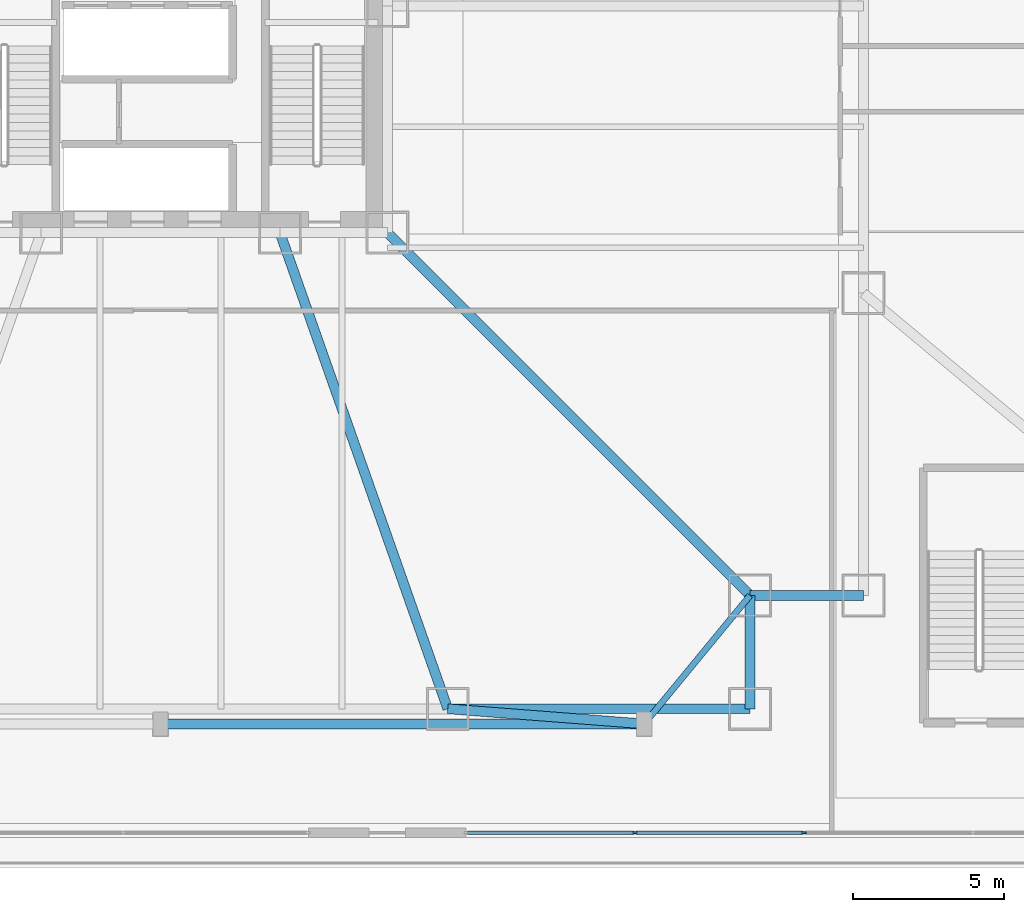
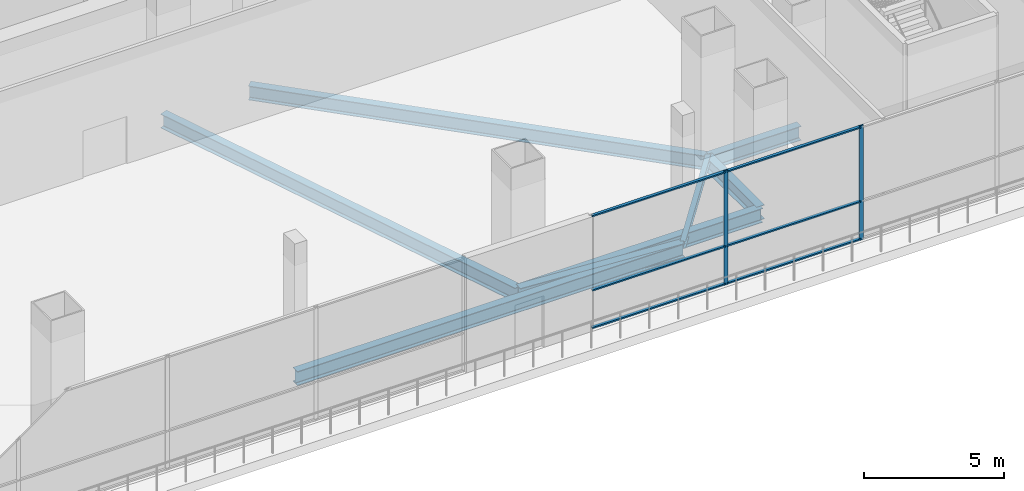
# One storey, part 9 of 36: 8 beams, 8 members, 1 element without a shape of its own.
"""IFC4 building model written with IfcOpenShell, lengths in metres."""

import ifcopenshell
import ifcopenshell.guid

model = None  # the IFC model being written
_history = None  # IfcOwnerHistory: only IFC2X3 demands one
_inside = {}  # id of a spatial element -> (the spatial element, [elements in it])
_under = {}  # id of a project, library or spatial element -> (it, [spatial elements below it])
_declared = {}  # id of a project -> (the project, [libraries it declares])
_typed = {}  # id of a type object -> (the type object, [elements of that type])
_made_of = {}  # id of a material, layer set ... -> (it, [elements and type objects made of it])


def new_model(schema):
    """Start an empty IFC model of exactly this schema.

    Asked for "IFC4X3", IfcOpenShell would pick the latest addendum, in which some entities
    have other attributes; the version numbers below select the first issue.
    IFC2X3 requires an IfcOwnerHistory on every rooted entity: one is made here for all.
    """
    global model, _history
    if schema == "IFC4X3":
        model = ifcopenshell.file(schema_version=(4, 3, 0, 0))
    else:
        model = ifcopenshell.file(schema=schema)
    _inside.clear()
    _under.clear()
    _declared.clear()
    _typed.clear()
    _made_of.clear()
    _history = None
    if model.schema == "IFC2X3":
        org = make("IfcOrganization", Name="unknown")
        user = make(
            "IfcPersonAndOrganization",
            ThePerson=make("IfcPerson", FamilyName="unknown"),
            TheOrganization=org,
        )
        app = make(
            "IfcApplication",
            ApplicationDeveloper=org,
            Version="unknown",
            ApplicationFullName="unknown",
            ApplicationIdentifier="unknown",
        )
        _history = make(
            "IfcOwnerHistory",
            OwningUser=user,
            OwningApplication=app,
            ChangeAction="ADDED",
            CreationDate=0,
        )
    return model


def make(cls, **values):
    """One entity of the class cls with the attributes given. An attribute that is None is left unset."""
    return model.create_entity(
        cls, **{name: value for name, value in values.items() if value is not None}
    )


def rooted(cls, **values):
    """An entity with a GlobalId (a new one), such as an element, a storey or a relation."""
    return make(cls, GlobalId=ifcopenshell.guid.new(), OwnerHistory=_history, **values)


def si_unit(unit_type, name, prefix=None):
    """IfcSIUnit, for example si_unit("LENGTHUNIT", "METRE", prefix="MILLI")."""
    return make("IfcSIUnit", UnitType=unit_type, Prefix=prefix, Name=name)


def assignment(units):
    """IfcUnitAssignment: the units of a project."""
    return None if units is None else make("IfcUnitAssignment", Units=units)


def point(xyz):
    """IfcCartesianPoint."""
    return None if xyz is None else make("IfcCartesianPoint", Coordinates=xyz)


def direction(xyz):
    """IfcDirection."""
    return None if xyz is None else make("IfcDirection", DirectionRatios=xyz)


def frame(location, z_axis=None, x_axis=None):
    """IfcAxis2Placement3D, a coordinate frame: its origin and axes. An axis left out is left unset."""
    return make(
        "IfcAxis2Placement3D",
        Location=point(location),
        Axis=direction(z_axis),
        RefDirection=direction(x_axis),
    )


def frame_2d(location, x_axis=None):
    """IfcAxis2Placement2D, a coordinate frame in the plane: its origin and x axis."""
    return make(
        "IfcAxis2Placement2D", Location=point(location), RefDirection=direction(x_axis)
    )


def origin():
    """The frame at (0, 0, 0) with its axes left unset."""
    return frame((0.0, 0.0, 0.0))


def origin_2d():
    """The frame at (0, 0) in the plane with its x axis left unset."""
    return frame_2d((0.0, 0.0))


def place(relative_to, where):
    """IfcLocalPlacement: puts the frame where relative to a parent placement (None: the world)."""
    return make(
        "IfcLocalPlacement", PlacementRelTo=relative_to, RelativePlacement=where
    )


def context(
    kind, dimensions, precision=None, world=None, true_north=None, identifier=None
):
    """IfcGeometricRepresentationContext, for example the 3D "Model" context."""
    return make(
        "IfcGeometricRepresentationContext",
        ContextIdentifier=identifier,
        ContextType=kind,
        CoordinateSpaceDimension=dimensions,
        Precision=precision,
        WorldCoordinateSystem=world,
        TrueNorth=true_north,
    )


def subcontext(parent, identifier, kind, view, scale=None):
    """IfcGeometricRepresentationSubContext, for example "Body" below "Model"."""
    return make(
        "IfcGeometricRepresentationSubContext",
        ContextIdentifier=identifier,
        ContextType=kind,
        ParentContext=parent,
        TargetScale=scale,
        TargetView=view,
    )


def project(units=None, contexts=None):
    """IfcProject with its units and contexts."""
    return rooted(
        "IfcProject",
        Name="project",
        RepresentationContexts=contexts,
        UnitsInContext=assignment(units),
    )


def spatial(cls, under=None, at=None, **own):
    """A site, building, storey or space (cls), placed at a placement, below another one or the project."""
    s = rooted(cls, ObjectPlacement=at, **own)
    if under is not None:
        _under.setdefault(under.id(), (under, []))[1].append(s)
    return s


def profile(cls, at=None, kind="AREA", **sizes):
    """A parametric profile (cls). Its sizes go by their IFC names, for example OverallWidth=200.0."""
    return make(cls, ProfileType=kind, Position=at, **sizes)


def rectangle(**sizes):
    """IfcRectangleProfileDef."""
    return profile("IfcRectangleProfileDef", **sizes)


def i_section(**sizes):
    """IfcIShapeProfileDef."""
    return profile("IfcIShapeProfileDef", **sizes)


def extrude(swept, where, along, depth):
    """IfcExtrudedAreaSolid: the profile swept, set in the frame where, extruded along a direction by depth."""
    return make(
        "IfcExtrudedAreaSolid",
        SweptArea=swept,
        Position=where,
        ExtrudedDirection=direction(along),
        Depth=depth,
    )


def shape(context_of_items, identifier, shape_type, items):
    """IfcShapeRepresentation: the items that make up one representation, for example the "Body"."""
    return make(
        "IfcShapeRepresentation",
        ContextOfItems=context_of_items,
        RepresentationIdentifier=identifier,
        RepresentationType=shape_type,
        Items=items,
    )


def material(Name=None, Category=None):
    """IfcMaterial."""
    return make("IfcMaterial", Name=Name, Category=Category)


def layer(
    of_material, thickness, ventilated=None, Name=None, Category=None, Priority=None
):
    """IfcMaterialLayer: one layer of a wall or slab, of a material (None: an air gap)."""
    return make(
        "IfcMaterialLayer",
        Material=of_material,
        LayerThickness=thickness,
        IsVentilated=ventilated,
        Name=Name,
        Category=Category,
        Priority=Priority,
    )


def layer_set(layers, Name=None):
    """IfcMaterialLayerSet."""
    return make("IfcMaterialLayerSet", MaterialLayers=layers, LayerSetName=Name)


def material_profile(
    of_material, cross_section, Name=None, Category=None, Priority=None
):
    """IfcMaterialProfile: a cross section and its material."""
    return make(
        "IfcMaterialProfile",
        Name=Name,
        Material=of_material,
        Profile=cross_section,
        Priority=Priority,
        Category=Category,
    )


def profile_set(profiles, Name=None, composite=None):
    """IfcMaterialProfileSet."""
    return make(
        "IfcMaterialProfileSet",
        Name=Name,
        MaterialProfiles=profiles,
        CompositeProfile=composite,
    )


def made_of(thing, what):
    """Note that an element or type object is made of a material, layer set ...; save() writes the relation."""
    if what is not None:
        _made_of.setdefault(what.id(), (what, []))[1].append(thing)
    return thing


def type_object(cls, material=None, **own):
    """A type object (cls), such as IfcWallType, which elements share."""
    return made_of(rooted(cls, **own), material)


def element(
    cls,
    number,
    at=None,
    inside=None,
    cuts=None,
    type_object=None,
    material=None,
    context=None,
    identifier="Body",
    shape_type=None,
    held_by="IfcProductDefinitionShape",
    body=None,
    shapes=None,
    **own,
):
    """One element of the class cls, such as IfcWall. Its Tag is "e" and its number.

    at: its placement. inside: the storey or other place that contains it. cuts: it is an
    opening in that element (IfcRelVoidsElement). A single representation is given by context,
    identifier, shape_type and body (its items); several are given by shapes. held_by: the class
    of the entity that holds the representations. save() writes the other relations.
    """
    e = rooted(cls, Tag="e%d" % number, ObjectPlacement=at, **own)
    if body is not None:
        shapes = [shape(context, identifier, shape_type, body)]
    if shapes is not None:
        e.Representation = make(held_by, Representations=shapes)
    if inside is not None:
        _inside.setdefault(inside.id(), (inside, []))[1].append(e)
    if cuts is not None:
        rooted(
            "IfcRelVoidsElement", RelatingBuildingElement=cuts, RelatedOpeningElement=e
        )
    if type_object is not None:
        _typed.setdefault(type_object.id(), (type_object, []))[1].append(e)
    return made_of(e, material)


def aggregate(whole, parts):
    """IfcRelAggregates: a whole, such as a stair, and the parts it consists of."""
    return rooted("IfcRelAggregates", RelatingObject=whole, RelatedObjects=parts)


def save(model, path):
    """Write the relations noted so far, then the file.

    IfcRelAggregates (storeys below a building ...), IfcRelContainedInSpatialStructure (elements
    in a storey), IfcRelDefinesByType, IfcRelAssociatesMaterial and IfcRelDeclares: one each for
    every whole, place, type object, material and project.
    """
    for whole, parts in _under.values():
        aggregate(whole, parts)
    for where, things in _inside.values():
        rooted(
            "IfcRelContainedInSpatialStructure",
            RelatedElements=things,
            RelatingStructure=where,
        )
    for kind, things in _typed.values():
        rooted("IfcRelDefinesByType", RelatedObjects=things, RelatingType=kind)
    for what, things in _made_of.values():
        rooted("IfcRelAssociatesMaterial", RelatedObjects=things, RelatingMaterial=what)
    for by, libraries in _declared.values():
        rooted("IfcRelDeclares", RelatingContext=by, RelatedDefinitions=libraries)
    model.write(path)


model = new_model("IFC4")

# Units and contexts
model_context = context("Model", 3, precision=1e-05, world=origin(), true_north=direction((0.0, 1.0)))
body_context = subcontext(model_context, "Body", "Model", "MODEL_VIEW")
ifc_project = project(units=[si_unit("LENGTHUNIT", "METRE"), si_unit("AREAUNIT", "SQUARE_METRE"), si_unit("VOLUMEUNIT", "CUBIC_METRE"), si_unit("PLANEANGLEUNIT", "RADIAN"), si_unit("MASSUNIT", "GRAM", prefix="KILO")], contexts=[model_context])

# Site, building, storey
site_placement = place(None, origin())
site = spatial("IfcSite", under=ifc_project, at=site_placement, CompositionType="ELEMENT")
building_placement = place(site_placement, origin())
building = spatial("IfcBuilding", under=site, at=building_placement, Name="Trevonay Congress Spire", CompositionType="ELEMENT")
storey_placement = place(building_placement, frame((0.0, 0.0, 5.39990234375)))
storey = spatial("IfcBuildingStorey", under=building, at=storey_placement, Name="L01", CompositionType="ELEMENT", Elevation=5.39990234375)

# Beams
ifc_material_1 = material(Name="Steel ASTM A572 Grade 50", Category="steel")
ifc_material_profile_1 = material_profile(ifc_material_1, i_section(OverallWidth=0.324951171875, OverallDepth=0.615966796875, WebThickness=0.013916015625, FlangeThickness=0.021484375, FilletRadius=0.01806640625, at=origin_2d()), Name="W610x174")
ifc_profile_set_1 = profile_set([ifc_material_profile_1], Name="Steel ASTM A572 Grade 50")
beam_type_1 = type_object("IfcBeamType", Name="BM-GIRD-W610X174", PredefinedType="BEAM", material=ifc_profile_set_1)
beam_1_placement = place(storey_placement, frame((9.5, -23.25, -0.7080078125), z_axis=(1.0, 0.0, 0.0), x_axis=(0.0, 1.0, 0.0)))
element("IfcBeam", 1, at=beam_1_placement, inside=storey, type_object=beam_type_1, Name="L01 structural beam BM-L01-MS3", PredefinedType="BEAM", context=body_context, shape_type="SweptSolid", body=[
    extrude(i_section(OverallWidth=0.324951171875, OverallDepth=0.615966796875, WebThickness=0.013916015625, FlangeThickness=0.021484375, FilletRadius=0.01806640625, at=origin_2d()), origin(), (0.0, 0.0, 1.0), 10.0),
])
for number, where, z_axis, x_axis, name in (
    (2, (19.5, -23.25, -0.7080078125), (0.0, 1.0, 0.0), (-1.0, 0.0, 0.0), "L01 structural beam BM-L01-CSE"),
    (3, (23.25, -19.5, -0.7080078125), (-1.0, 0.0, 0.0), (0.0, -1.0, 0.0), "L01 structural beam BM-L01-CES"),
):
    element("IfcBeam", number, at=place(storey_placement, frame(where, z_axis=z_axis, x_axis=x_axis)), inside=storey, type_object=beam_type_1, Name=name, PredefinedType="BEAM", context=body_context, shape_type="SweptSolid", body=[
        extrude(i_section(OverallWidth=0.324951171875, OverallDepth=0.615966796875, WebThickness=0.013916015625, FlangeThickness=0.021484375, FilletRadius=0.01806640625, at=origin_2d()), origin(), (0.0, 0.0, 1.0), 3.75),
    ])
beam_2_placement = place(storey_placement, frame((7.5, -7.5, -0.7080078125), z_axis=(0.707106781187, -0.707106781187, 0.0), x_axis=(0.707106781187, 0.707106781187, 0.0)))
element("IfcBeam", 4, at=beam_2_placement, inside=storey, type_object=beam_type_1, Name="L01 structural beam BM-L01-RAD-SE", PredefinedType="BEAM", context=body_context, shape_type="SweptSolid", body=[
    extrude(i_section(OverallWidth=0.324951171875, OverallDepth=0.615966796875, WebThickness=0.013916015625, FlangeThickness=0.021484375, FilletRadius=0.01806640625, at=origin_2d()), origin(), (0.0, 0.0, 1.0), 16.970458984375),
])
beam_3_placement = place(storey_placement, frame((3.949951171875, -7.5, -0.7080078125), z_axis=(0.332352826786, -0.943155129619, 0.0), x_axis=(0.943155129619, 0.332352826786, 0.0)))
element("IfcBeam", 5, at=beam_3_placement, inside=storey, type_object=beam_type_1, Name="L01 structural beam BM-L01-RAD-S2", PredefinedType="BEAM", context=body_context, shape_type="SweptSolid", body=[
    extrude(i_section(OverallWidth=0.324951171875, OverallDepth=0.615966796875, WebThickness=0.013916015625, FlangeThickness=0.021484375, FilletRadius=0.01806640625, at=origin_2d()), origin(), (0.0, 0.0, 1.0), 16.69921875),
])
beam_4_placement = place(storey_placement, frame((0.0, -23.75, -0.7080078125), z_axis=(1.0, 0.0, 0.0), x_axis=(0.0, 1.0, 0.0)))
element("IfcBeam", 6, at=beam_4_placement, inside=storey, type_object=beam_type_1, Name="L01 structural beam BM-L01-PIL-S2", PredefinedType="BEAM", context=body_context, shape_type="SweptSolid", body=[
    extrude(i_section(OverallWidth=0.324951171875, OverallDepth=0.615966796875, WebThickness=0.013916015625, FlangeThickness=0.021484375, FilletRadius=0.01806640625, at=origin_2d()), origin(), (0.0, 0.0, 1.0), 16.0),
])
beam_5_placement = place(storey_placement, frame((9.5, -23.25, -0.7080078125), z_axis=(0.997054485502, -0.076696498885, 0.0), x_axis=(0.076696498885, 0.997054485502, 0.0)))
element("IfcBeam", 7, at=beam_5_placement, inside=storey, type_object=beam_type_1, Name="L01 structural beam BM-L01-PIL-TS2", PredefinedType="BEAM", context=body_context, shape_type="SweptSolid", body=[
    extrude(i_section(OverallWidth=0.324951171875, OverallDepth=0.615966796875, WebThickness=0.013916015625, FlangeThickness=0.021484375, FilletRadius=0.01806640625, at=origin_2d()), origin(), (0.0, 0.0, 1.0), 6.519287109375),
])

# Curtain wall, members
ifc_material_2 = material(Name="Pale Anodised Aluminium EN AW-6063-T6", Category="aluminium")
ifc_layer = layer(ifc_material_2, 0.179931640625, Name="Pale Anodised Aluminium EN AW-6063-T6")
ifc_layer_set = layer_set([ifc_layer], Name="Pale Anodised Aluminium EN AW-6063-T6")
curtain_wall_type = type_object("IfcCurtainWallType", Name="CW-SYS01-PODIUM-PALE-METAL", PredefinedType="NOTDEFINED", material=ifc_layer_set)
curtain_wall_placement = place(storey_placement, origin())
curtain_wall = element("IfcCurtainWall", 8, at=curtain_wall_placement, inside=storey, type_object=curtain_wall_type, Name="L01 S2 podium curtain wall", PredefinedType="NOTDEFINED")
ifc_material_profile_2 = material_profile(ifc_material_2, rectangle(XDim=0.06005859375, YDim=0.159912109375, at=origin_2d()), Name="CW-MULLION-160-ALUMINIUM")
ifc_profile_set_2 = profile_set([ifc_material_profile_2], Name="Pale Anodised Aluminium EN AW-6063-T6")
member_type_1 = type_object("IfcMemberType", Name="CW-MULLION-160-ALUMINIUM", PredefinedType="MULLION", material=ifc_profile_set_2)
member_1_placement = place(storey_placement, frame((15.68994140625, -27.35009765625, 0.0), z_axis=(0.0, 0.0, 1.0), x_axis=(0.0, 1.0, 0.0)))
member_1 = element("IfcMember", 9, at=member_1_placement, type_object=member_type_1, Name="CW01 mullion 2", PredefinedType="MULLION", context=body_context, shape_type="SweptSolid", body=[
    extrude(rectangle(XDim=0.06005859375, YDim=0.159912109375, at=origin_2d()), origin(), (0.0, 0.0, 1.0), 5.0),
])
member_2_placement = place(storey_placement, frame((21.280029296875, -27.35009765625, 0.0), z_axis=(0.0, 0.0, 1.0), x_axis=(0.0, 1.0, 0.0)))
member_2 = element("IfcMember", 10, at=member_2_placement, type_object=member_type_1, Name="CW01 mullion 3", PredefinedType="MULLION", context=body_context, shape_type="SweptSolid", body=[
    extrude(rectangle(XDim=0.06005859375, YDim=0.159912109375, at=origin_2d()), origin(), (0.0, 0.0, 1.0), 5.0),
])
ifc_material_profile_3 = material_profile(ifc_material_2, rectangle(XDim=0.1201171875, YDim=0.06005859375, at=origin_2d()), Name="CW-TRANSOM-120-ALUMINIUM")
ifc_profile_set_3 = profile_set([ifc_material_profile_3], Name="Pale Anodised Aluminium EN AW-6063-T6")
member_type_2 = type_object("IfcMemberType", Name="CW-TRANSOM-120-ALUMINIUM", PredefinedType="USERDEFINED", material=ifc_profile_set_3)
member_3_placement = place(storey_placement, frame((10.159912109375, -27.35009765625, 0.06005859375), z_axis=(1.0, 0.0, 0.0), x_axis=(0.0, 1.0, 0.0)))
member_3 = element("IfcMember", 11, at=member_3_placement, type_object=member_type_2, Name="CW01 transom 1.1", ObjectType="TRANSOM", PredefinedType="USERDEFINED", context=body_context, shape_type="SweptSolid", body=[
    extrude(rectangle(XDim=0.1201171875, YDim=0.06005859375, at=origin_2d()), origin(), (0.0, 0.0, 1.0), 5.5),
])
member_4_placement = place(storey_placement, frame((10.159912109375, -27.35009765625, 1.7001953125), z_axis=(1.0, 0.0, 0.0), x_axis=(0.0, 1.0, 0.0)))
member_4 = element("IfcMember", 12, at=member_4_placement, type_object=member_type_2, Name="CW01 transom 1.2", ObjectType="TRANSOM", PredefinedType="USERDEFINED", context=body_context, shape_type="SweptSolid", body=[
    extrude(rectangle(XDim=0.1201171875, YDim=0.06005859375, at=origin_2d()), origin(), (0.0, 0.0, 1.0), 5.5),
])
member_5_placement = place(storey_placement, frame((10.159912109375, -27.35009765625, 4.940185546875), z_axis=(1.0, 0.0, 0.0), x_axis=(0.0, 1.0, 0.0)))
member_5 = element("IfcMember", 13, at=member_5_placement, type_object=member_type_2, Name="CW01 transom 1.3", ObjectType="TRANSOM", PredefinedType="USERDEFINED", context=body_context, shape_type="SweptSolid", body=[
    extrude(rectangle(XDim=0.1201171875, YDim=0.06005859375, at=origin_2d()), origin(), (0.0, 0.0, 1.0), 5.5),
])
member_6_placement = place(storey_placement, frame((15.719970703125, -27.35009765625, 0.06005859375), z_axis=(1.0, 0.0, 0.0), x_axis=(0.0, 1.0, 0.0)))
member_6 = element("IfcMember", 14, at=member_6_placement, type_object=member_type_2, Name="CW01 transom 2.1", ObjectType="TRANSOM", PredefinedType="USERDEFINED", context=body_context, shape_type="SweptSolid", body=[
    extrude(rectangle(XDim=0.1201171875, YDim=0.06005859375, at=origin_2d()), origin(), (0.0, 0.0, 1.0), 5.530029296875),
])
member_7_placement = place(storey_placement, frame((15.719970703125, -27.35009765625, 1.7001953125), z_axis=(1.0, 0.0, 0.0), x_axis=(0.0, 1.0, 0.0)))
member_7 = element("IfcMember", 15, at=member_7_placement, type_object=member_type_2, Name="CW01 transom 2.2", ObjectType="TRANSOM", PredefinedType="USERDEFINED", context=body_context, shape_type="SweptSolid", body=[
    extrude(rectangle(XDim=0.1201171875, YDim=0.06005859375, at=origin_2d()), origin(), (0.0, 0.0, 1.0), 5.530029296875),
])
member_8_placement = place(storey_placement, frame((15.719970703125, -27.35009765625, 4.940185546875), z_axis=(1.0, 0.0, 0.0), x_axis=(0.0, 1.0, 0.0)))
member_8 = element("IfcMember", 16, at=member_8_placement, type_object=member_type_2, Name="CW01 transom 2.3", ObjectType="TRANSOM", PredefinedType="USERDEFINED", context=body_context, shape_type="SweptSolid", body=[
    extrude(rectangle(XDim=0.1201171875, YDim=0.06005859375, at=origin_2d()), origin(), (0.0, 0.0, 1.0), 5.530029296875),
])
aggregate(curtain_wall, [member_1, member_2, member_3, member_4, member_5, member_6, member_7, member_8])

# Beam
ifc_material_profile_4 = material_profile(ifc_material_1, i_section(OverallWidth=0.2041015625, OverallDepth=0.305908203125, WebThickness=0.008544921875, FlangeThickness=0.0146484375, FilletRadius=0.010986328125, at=origin_2d()), Name="W310x67")
ifc_profile_set_4 = profile_set([ifc_material_profile_4], Name="Steel ASTM A572 Grade 50")
beam_type_2 = type_object("IfcBeamType", Name="SPB-W310X67", PredefinedType="SPANDREL", material=ifc_profile_set_4)
beam_6_placement = place(storey_placement, frame((16.0, -23.75, -0.552978515625), z_axis=(0.635707252861, 0.771930235617, 0.0), x_axis=(-0.771930235617, 0.635707252861, 0.0)))
element("IfcBeam", 17, at=beam_6_placement, inside=storey, type_object=beam_type_2, Name="L01 structural beam SPB-L01-SE", PredefinedType="SPANDREL", context=body_context, shape_type="SweptSolid", body=[
    extrude(i_section(OverallWidth=0.2041015625, OverallDepth=0.305908203125, WebThickness=0.008544921875, FlangeThickness=0.0146484375, FilletRadius=0.010986328125, at=origin_2d()), origin(), (0.0, 0.0, 1.0), 5.505615234375),
])

save(model, "model.ifc")
